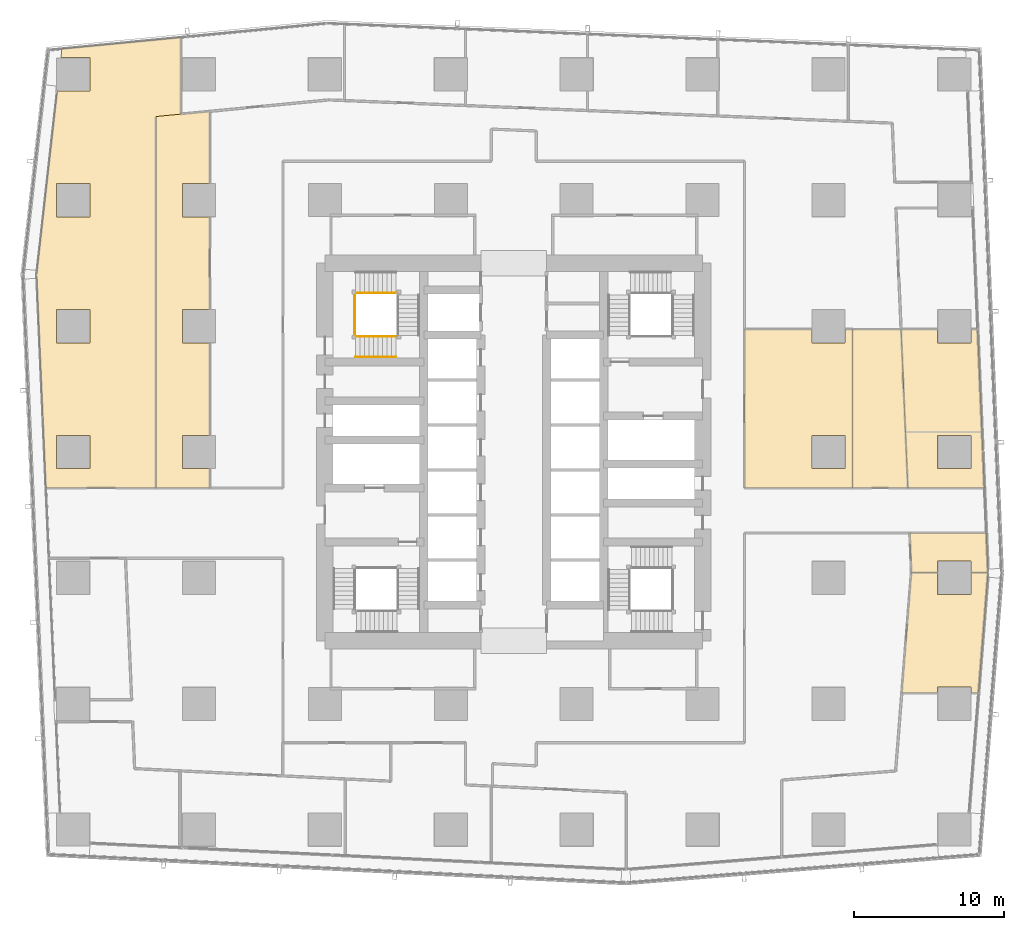
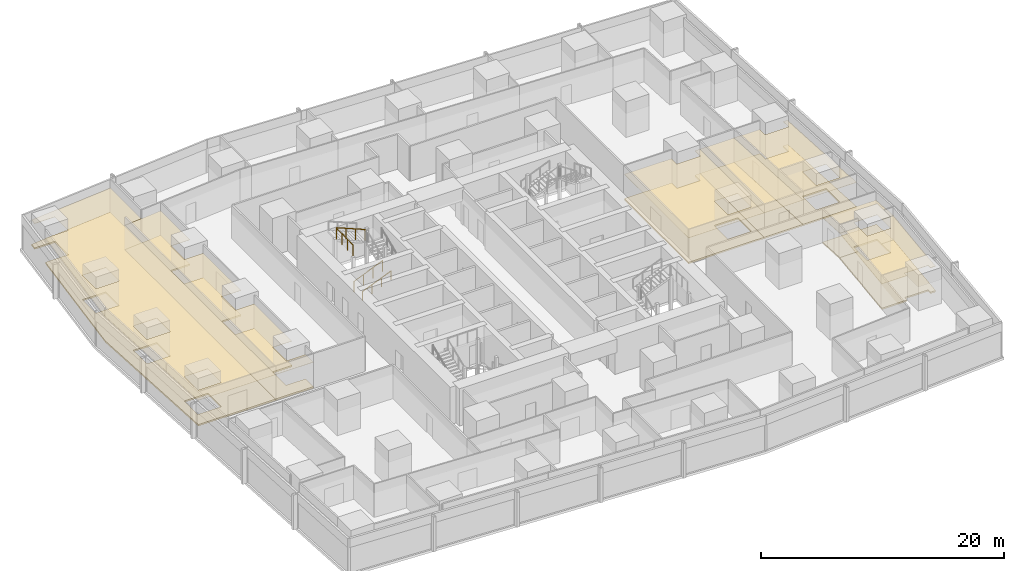
# One storey, part 40 of 44: 14 coverings, 4 railings.
"""IFC4 building model written with IfcOpenShell, lengths in metres."""

from ifc_helpers import new_model, si_unit, direction, frame, origin, origin_2d, place, context, subcontext, project, spatial, polyline, circle, outline, extrude, material, layer, layer_set, type_object, element, save


model = new_model("IFC4")

# Units and contexts
model_context = context("Model", 3, precision=1e-05, world=origin(), true_north=direction((0.0, 1.0)))
body_context = subcontext(model_context, "Body", "Model", "MODEL_VIEW")
ifc_project = project(units=[si_unit("LENGTHUNIT", "METRE"), si_unit("AREAUNIT", "SQUARE_METRE"), si_unit("VOLUMEUNIT", "CUBIC_METRE"), si_unit("PLANEANGLEUNIT", "RADIAN"), si_unit("MASSUNIT", "GRAM", prefix="KILO")], contexts=[model_context])

# Site, building, storey
site_placement = place(None, origin())
site = spatial("IfcSite", under=ifc_project, at=site_placement, CompositionType="ELEMENT")
building_placement = place(site_placement, origin())
building = spatial("IfcBuilding", under=site, at=building_placement, Name="Rekha Terrace Tower", CompositionType="ELEMENT")
storey_placement = place(building_placement, frame((0.0, 0.0, 59.14990234375)))
storey = spatial("IfcBuildingStorey", under=building, at=storey_placement, Name="L14", CompositionType="ELEMENT", Elevation=59.14990234375)

# Coverings
ifc_material_1 = material(Name="Mineral fibre tile in exposed grid", Category="finish")
ifc_layer_1 = layer(ifc_material_1, 0.02001953125)
ifc_layer_set_1 = layer_set([ifc_layer_1], Name="Mineral fibre tile in exposed grid")
covering_type_1 = type_object("IfcCoveringType", Name="CL1 600x1200 office grid ceiling", PredefinedType="CEILING", material=ifc_layer_set_1)
covering_1_placement = place(storey_placement, frame((0.0, 0.0, 2.580078125)))
element("IfcCovering", 1, at=covering_1_placement, inside=storey, type_object=covering_type_1, Name="Ceiling L14-04", PredefinedType="CEILING", context=body_context, shape_type="SweptSolid", body=[
    extrude(outline(polyline([(68.31494140625, 17.52392578125), (68.803955078125, 17.52392578125), (69.44091796875, 25.551025390625), (68.31494140625, 25.551025390625), (68.31494140625, 24.0849609375), (66.0849609375, 24.0849609375), (66.0849609375, 25.551025390625), (64.324951171875, 25.551025390625), (63.68798828125, 17.52392578125), (66.0849609375, 17.52392578125), (66.0849609375, 17.9150390625), (68.31494140625, 17.9150390625), (68.31494140625, 17.52392578125)])), origin(), (0.0, 0.0, 1.0), 0.02001953125),
])
covering_2_placement = place(storey_placement, frame((0.0, 0.0, 2.580078125)))
element("IfcCovering", 2, at=covering_2_placement, inside=storey, type_object=covering_type_1, Name="Ceiling L14-05", PredefinedType="CEILING", context=body_context, shape_type="SweptSolid", body=[
    extrude(outline(polyline([(69.43701171875, 25.552001953125), (69.322998046875, 28.199951171875), (64.218994140625, 28.199951171875), (64.33203125, 25.552001953125), (66.0849609375, 25.552001953125), (66.0849609375, 26.31494140625), (68.31494140625, 26.31494140625), (68.31494140625, 25.552001953125), (69.43701171875, 25.552001953125)])), origin(), (0.0, 0.0, 1.0), 0.02001953125),
])
covering_3_placement = place(storey_placement, frame((0.0, 0.0, 2.580078125)))
element("IfcCovering", 3, at=covering_3_placement, inside=storey, type_object=covering_type_1, Name="Ceiling L14-11", PredefinedType="CEILING", context=body_context, shape_type="SweptSolid", body=[
    extrude(outline(polyline([(69.195068359375, 31.199951171875), (69.035888671875, 34.929931640625), (68.742919921875, 41.781005859375), (68.31494140625, 41.781005859375), (68.31494140625, 40.885009765625), (66.0849609375, 40.885009765625), (66.0849609375, 41.781005859375), (63.638916015625, 41.781005859375), (63.930908203125, 34.929931640625), (64.091064453125, 31.199951171875), (69.195068359375, 31.199951171875)]), holes=[polyline([(68.31494140625, 32.485107421875), (66.0849609375, 32.485107421875), (66.0849609375, 34.715087890625), (68.31494140625, 34.715087890625), (68.31494140625, 32.485107421875)])]), origin(), (0.0, 0.0, 1.0), 0.02001953125),
])
covering_4_placement = place(storey_placement, frame((0.0, 0.0, 2.580078125)))
element("IfcCovering", 4, at=covering_4_placement, inside=storey, type_object=covering_type_1, Name="Ceiling L14-12", PredefinedType="CEILING", context=body_context, shape_type="SweptSolid", body=[
    extrude(outline(polyline([(53.199951171875, 41.781005859375), (53.199951171875, 31.199951171875), (60.39990234375, 31.199951171875), (60.39990234375, 41.781005859375), (59.9150390625, 41.781005859375), (59.9150390625, 40.885009765625), (57.68505859375, 40.885009765625), (57.68505859375, 41.781005859375), (53.199951171875, 41.781005859375)]), holes=[polyline([(59.9150390625, 32.485107421875), (57.68505859375, 32.485107421875), (57.68505859375, 34.715087890625), (59.9150390625, 34.715087890625), (59.9150390625, 32.485107421875)])]), origin(), (0.0, 0.0, 1.0), 0.02001953125),
])
covering_5_placement = place(storey_placement, frame((0.0, 0.0, 2.580078125)))
element("IfcCovering", 5, at=covering_5_placement, inside=storey, type_object=covering_type_1, Name="Ceiling L14-O2", PredefinedType="CEILING", context=body_context, shape_type="SweptSolid", body=[
    extrude(outline(polyline([(64.091064453125, 31.199951171875), (63.930908203125, 34.930908203125), (63.638916015625, 41.781005859375), (60.39990234375, 41.781005859375), (60.39990234375, 31.199951171875), (64.091064453125, 31.199951171875)])), origin(), (0.0, 0.0, 1.0), 0.02001953125),
])
covering_6_placement = place(storey_placement, frame((0.0, 0.0, 2.580078125)))
element("IfcCovering", 6, at=covering_6_placement, inside=storey, type_object=covering_type_1, Name="Ceiling L14-21", PredefinedType="CEILING", context=body_context, shape_type="SweptSolid", body=[
    extrude(outline(polyline([(7.337890625, 57.68505859375), (5.958984375, 45.412109375), (5.964111328125, 45.412109375), (6.4208984375, 34.9619140625), (6.5859375, 31.199951171875), (13.9169921875, 31.199951171875), (13.9169921875, 55.97998046875), (15.572021484375, 56.138916015625), (15.572021484375, 61.261962890625), (7.655029296875, 60.5009765625), (7.589111328125, 59.9150390625), (9.514892578125, 59.9150390625), (9.514892578125, 57.68505859375), (7.337890625, 57.68505859375)]), holes=[polyline([(9.514892578125, 32.485107421875), (7.284912109375, 32.485107421875), (7.284912109375, 34.715087890625), (9.514892578125, 34.715087890625), (9.514892578125, 32.485107421875)]), polyline([(9.514892578125, 40.885009765625), (7.284912109375, 40.885009765625), (7.284912109375, 43.114990234375), (9.514892578125, 43.114990234375), (9.514892578125, 40.885009765625)]), polyline([(9.514892578125, 51.514892578125), (9.514892578125, 49.284912109375), (7.284912109375, 49.284912109375), (7.284912109375, 51.514892578125), (9.514892578125, 51.514892578125)])]), origin(), (0.0, 0.0, 1.0), 0.02001953125),
])
covering_7_placement = place(storey_placement, frame((0.0, 0.0, 2.580078125)))
element("IfcCovering", 7, at=covering_7_placement, inside=storey, type_object=covering_type_1, Name="Ceiling L14-22", PredefinedType="CEILING", context=body_context, shape_type="SweptSolid", body=[
    extrude(outline(polyline([(17.51708984375, 56.325927734375), (15.824951171875, 56.1630859375), (13.9169921875, 55.97998046875), (13.9169921875, 31.199951171875), (17.51708984375, 31.199951171875), (17.51708984375, 32.485107421875), (15.68505859375, 32.485107421875), (15.68505859375, 34.715087890625), (17.51708984375, 34.715087890625), (17.51708984375, 40.885009765625), (15.68505859375, 40.885009765625), (15.68505859375, 43.114990234375), (17.51708984375, 43.114990234375), (17.51708984375, 49.284912109375), (15.68505859375, 49.284912109375), (15.68505859375, 51.514892578125), (17.51708984375, 51.514892578125), (17.51708984375, 56.325927734375)])), origin(), (0.0, 0.0, 1.0), 0.02001953125),
])

# Railings
ifc_material_2 = material(Name="Stainless steel balustrade", Category="steel")
railing_type_1 = type_object("IfcRailingType", Name="GR1 1100 stair guard", PredefinedType="GUARDRAIL", material=ifc_material_2)
railing_1_placement = place(storey_placement, frame((27.25, 41.31494140625, 0.125)))
element("IfcRailing", 8, at=railing_1_placement, inside=storey, type_object=railing_type_1, Name="Guard ST4 L14 flight 1", PredefinedType="GUARDRAIL", context=body_context, shape_type="SweptSolid", body=[
    extrude(circle(Radius=0.02392578125, at=origin_2d()), frame((0.0, 0.0, 1.076171875), z_axis=(0.923074453586, 0.0, 0.384621311341), x_axis=(0.0, 1.0, 0.0)), (0.0, 0.0, 1.0), 2.925048828125),
    extrude(circle(Radius=0.02099609375, at=origin_2d()), origin(), (0.0, 0.0, 1.0), 1.052001953125),
    extrude(circle(Radius=0.02099609375, at=origin_2d()), frame((0.89990234375, 0.0, 0.375)), (0.0, 0.0, 1.0), 1.052001953125),
    extrude(circle(Radius=0.02099609375, at=origin_2d()), frame((1.800048828125, 0.0, 0.75)), (0.0, 0.0, 1.0), 1.052001953125),
    extrude(circle(Radius=0.02099609375, at=origin_2d()), frame((2.699951171875, 0.0, 1.125)), (0.0, 0.0, 1.0), 1.052001953125),
])
railing_2_placement = place(storey_placement, frame((29.949951171875, 44.2099609375, 2.625)))
element("IfcRailing", 9, at=railing_2_placement, inside=storey, type_object=railing_type_1, Name="Guard ST4 L14 flight 3", PredefinedType="GUARDRAIL", context=body_context, shape_type="SweptSolid", body=[
    extrude(circle(Radius=0.02392578125, at=origin_2d()), frame((0.0, 0.0, 1.076171875), z_axis=(-0.923074453586, 0.0, 0.384621311341), x_axis=(0.0, -1.0, 0.0)), (0.0, 0.0, 1.0), 2.925048828125),
    extrude(circle(Radius=0.02099609375, at=origin_2d()), origin(), (0.0, 0.0, 1.0), 1.052001953125),
    extrude(circle(Radius=0.02099609375, at=origin_2d()), frame((-0.89990234375, 0.0, 0.375)), (0.0, 0.0, 1.0), 1.052001953125),
    extrude(circle(Radius=0.02099609375, at=origin_2d()), frame((-1.800048828125, 0.0, 0.75)), (0.0, 0.0, 1.0), 1.052001953125),
    extrude(circle(Radius=0.02099609375, at=origin_2d()), frame((-2.699951171875, 0.0, 1.125)), (0.0, 0.0, 1.0), 1.052001953125),
])
railing_3_placement = place(storey_placement, frame((27.18994140625, 41.375, 3.75)))
element("IfcRailing", 10, at=railing_3_placement, inside=storey, type_object=railing_type_1, Name="Guard ST4 L14 landing 4", PredefinedType="GUARDRAIL", context=body_context, shape_type="SweptSolid", body=[
    extrude(circle(Radius=0.02392578125, at=origin_2d()), frame((0.0, 0.0, 1.076171875), z_axis=(0.0, 1.0, 0.0), x_axis=(-1.0, 0.0, 0.0)), (0.0, 0.0, 1.0), 2.77490234375),
    extrude(circle(Radius=0.02099609375, at=origin_2d()), origin(), (0.0, 0.0, 1.0), 1.052001953125),
    extrude(circle(Radius=0.02099609375, at=origin_2d()), frame((0.0, 0.925048828125, 0.0)), (0.0, 0.0, 1.0), 1.052001953125),
    extrude(circle(Radius=0.02099609375, at=origin_2d()), frame((0.0, 1.849853515625, 0.0)), (0.0, 0.0, 1.0), 1.052001953125),
    extrude(circle(Radius=0.02099609375, at=origin_2d()), frame((0.0, 2.77490234375, 0.0)), (0.0, 0.0, 1.0), 1.052001953125),
])
ifc_material_3 = material(Name="Stainless steel tube", Category="steel")
railing_type_2 = type_object("IfcRailingType", Name="HR1 900 stair handrail", PredefinedType="HANDRAIL", material=ifc_material_3)
railing_4_placement = place(storey_placement, frame((27.25, 39.93505859375, 0.125)))
element("IfcRailing", 11, at=railing_4_placement, inside=storey, type_object=railing_type_2, Name="Handrail ST4 L14 flight 1", PredefinedType="HANDRAIL", context=body_context, shape_type="SweptSolid", body=[
    extrude(circle(Radius=0.02392578125, at=origin_2d()), frame((0.0, 0.0, 0.8759765625), z_axis=(0.923074453586, 0.0, 0.384621311341), x_axis=(0.0, 1.0, 0.0)), (0.0, 0.0, 1.0), 2.925048828125),
    extrude(circle(Radius=0.02099609375, at=origin_2d()), origin(), (0.0, 0.0, 1.0), 0.851806640625),
    extrude(circle(Radius=0.02099609375, at=origin_2d()), frame((0.89990234375, 0.0, 0.375)), (0.0, 0.0, 1.0), 0.851806640625),
    extrude(circle(Radius=0.02099609375, at=origin_2d()), frame((1.800048828125, 0.0, 0.75)), (0.0, 0.0, 1.0), 0.851806640625),
    extrude(circle(Radius=0.02099609375, at=origin_2d()), frame((2.699951171875, 0.0, 1.125)), (0.0, 0.0, 1.0), 0.851806640625),
])

# Coverings
ifc_material_4 = material(Name="Calcium sulphate panels on steel pedestals", Category="steel")
ifc_layer_2 = layer(ifc_material_4, 0.14990234375)
ifc_layer_set_2 = layer_set([ifc_layer_2], Name="Calcium sulphate panels on steel pedestals")
covering_type_2 = type_object("IfcCoveringType", Name="RF1 150 raised access floor", PredefinedType="FLOORING", material=ifc_layer_set_2)
covering_8_placement = place(storey_placement, origin())
element("IfcCovering", 12, at=covering_8_placement, inside=storey, type_object=covering_type_2, Name="Raised floor L14-04", PredefinedType="FLOORING", context=body_context, shape_type="SweptSolid", body=[
    extrude(outline(polyline([(68.31494140625, 17.52392578125), (68.803955078125, 17.52392578125), (69.44091796875, 25.551025390625), (68.31494140625, 25.551025390625), (68.31494140625, 24.0849609375), (66.0849609375, 24.0849609375), (66.0849609375, 25.551025390625), (64.324951171875, 25.551025390625), (63.68798828125, 17.52392578125), (66.0849609375, 17.52392578125), (66.0849609375, 17.9150390625), (68.31494140625, 17.9150390625), (68.31494140625, 17.52392578125)])), origin(), (0.0, 0.0, 1.0), 0.150146484375),
])
covering_9_placement = place(storey_placement, origin())
element("IfcCovering", 13, at=covering_9_placement, inside=storey, type_object=covering_type_2, Name="Raised floor L14-05", PredefinedType="FLOORING", context=body_context, shape_type="SweptSolid", body=[
    extrude(outline(polyline([(69.43701171875, 25.552001953125), (69.322998046875, 28.199951171875), (64.218994140625, 28.199951171875), (64.33203125, 25.552001953125), (66.0849609375, 25.552001953125), (66.0849609375, 26.31494140625), (68.31494140625, 26.31494140625), (68.31494140625, 25.552001953125), (69.43701171875, 25.552001953125)])), origin(), (0.0, 0.0, 1.0), 0.150146484375),
])
covering_10_placement = place(storey_placement, origin())
element("IfcCovering", 14, at=covering_10_placement, inside=storey, type_object=covering_type_2, Name="Raised floor L14-11", PredefinedType="FLOORING", context=body_context, shape_type="SweptSolid", body=[
    extrude(outline(polyline([(69.195068359375, 31.199951171875), (69.035888671875, 34.929931640625), (68.742919921875, 41.781005859375), (68.31494140625, 41.781005859375), (68.31494140625, 40.885009765625), (66.0849609375, 40.885009765625), (66.0849609375, 41.781005859375), (63.638916015625, 41.781005859375), (63.930908203125, 34.929931640625), (64.091064453125, 31.199951171875), (69.195068359375, 31.199951171875)]), holes=[polyline([(68.31494140625, 32.485107421875), (66.0849609375, 32.485107421875), (66.0849609375, 34.715087890625), (68.31494140625, 34.715087890625), (68.31494140625, 32.485107421875)])]), origin(), (0.0, 0.0, 1.0), 0.150146484375),
])
covering_11_placement = place(storey_placement, origin())
element("IfcCovering", 15, at=covering_11_placement, inside=storey, type_object=covering_type_2, Name="Raised floor L14-12", PredefinedType="FLOORING", context=body_context, shape_type="SweptSolid", body=[
    extrude(outline(polyline([(53.199951171875, 41.781005859375), (53.199951171875, 31.199951171875), (60.39990234375, 31.199951171875), (60.39990234375, 41.781005859375), (59.9150390625, 41.781005859375), (59.9150390625, 40.885009765625), (57.68505859375, 40.885009765625), (57.68505859375, 41.781005859375), (53.199951171875, 41.781005859375)]), holes=[polyline([(59.9150390625, 32.485107421875), (57.68505859375, 32.485107421875), (57.68505859375, 34.715087890625), (59.9150390625, 34.715087890625), (59.9150390625, 32.485107421875)])]), origin(), (0.0, 0.0, 1.0), 0.150146484375),
])
covering_12_placement = place(storey_placement, origin())
element("IfcCovering", 16, at=covering_12_placement, inside=storey, type_object=covering_type_2, Name="Raised floor L14-O2", PredefinedType="FLOORING", context=body_context, shape_type="SweptSolid", body=[
    extrude(outline(polyline([(64.091064453125, 31.199951171875), (63.930908203125, 34.930908203125), (63.638916015625, 41.781005859375), (60.39990234375, 41.781005859375), (60.39990234375, 31.199951171875), (64.091064453125, 31.199951171875)])), origin(), (0.0, 0.0, 1.0), 0.150146484375),
])
covering_13_placement = place(storey_placement, origin())
element("IfcCovering", 17, at=covering_13_placement, inside=storey, type_object=covering_type_2, Name="Raised floor L14-21", PredefinedType="FLOORING", context=body_context, shape_type="SweptSolid", body=[
    extrude(outline(polyline([(7.337890625, 57.68505859375), (5.958984375, 45.412109375), (5.964111328125, 45.412109375), (6.4208984375, 34.9619140625), (6.5859375, 31.199951171875), (13.9169921875, 31.199951171875), (13.9169921875, 55.97998046875), (15.572021484375, 56.138916015625), (15.572021484375, 61.261962890625), (7.655029296875, 60.5009765625), (7.589111328125, 59.9150390625), (9.514892578125, 59.9150390625), (9.514892578125, 57.68505859375), (7.337890625, 57.68505859375)]), holes=[polyline([(9.514892578125, 32.485107421875), (7.284912109375, 32.485107421875), (7.284912109375, 34.715087890625), (9.514892578125, 34.715087890625), (9.514892578125, 32.485107421875)]), polyline([(9.514892578125, 40.885009765625), (7.284912109375, 40.885009765625), (7.284912109375, 43.114990234375), (9.514892578125, 43.114990234375), (9.514892578125, 40.885009765625)]), polyline([(9.514892578125, 51.514892578125), (9.514892578125, 49.284912109375), (7.284912109375, 49.284912109375), (7.284912109375, 51.514892578125), (9.514892578125, 51.514892578125)])]), origin(), (0.0, 0.0, 1.0), 0.150146484375),
])
covering_14_placement = place(storey_placement, origin())
element("IfcCovering", 18, at=covering_14_placement, inside=storey, type_object=covering_type_2, Name="Raised floor L14-22", PredefinedType="FLOORING", context=body_context, shape_type="SweptSolid", body=[
    extrude(outline(polyline([(17.51708984375, 56.325927734375), (15.824951171875, 56.1630859375), (13.9169921875, 55.97998046875), (13.9169921875, 31.199951171875), (17.51708984375, 31.199951171875), (17.51708984375, 32.485107421875), (15.68505859375, 32.485107421875), (15.68505859375, 34.715087890625), (17.51708984375, 34.715087890625), (17.51708984375, 40.885009765625), (15.68505859375, 40.885009765625), (15.68505859375, 43.114990234375), (17.51708984375, 43.114990234375), (17.51708984375, 49.284912109375), (15.68505859375, 49.284912109375), (15.68505859375, 51.514892578125), (17.51708984375, 51.514892578125), (17.51708984375, 56.325927734375)])), origin(), (0.0, 0.0, 1.0), 0.150146484375),
])

save(model, "model.ifc")
